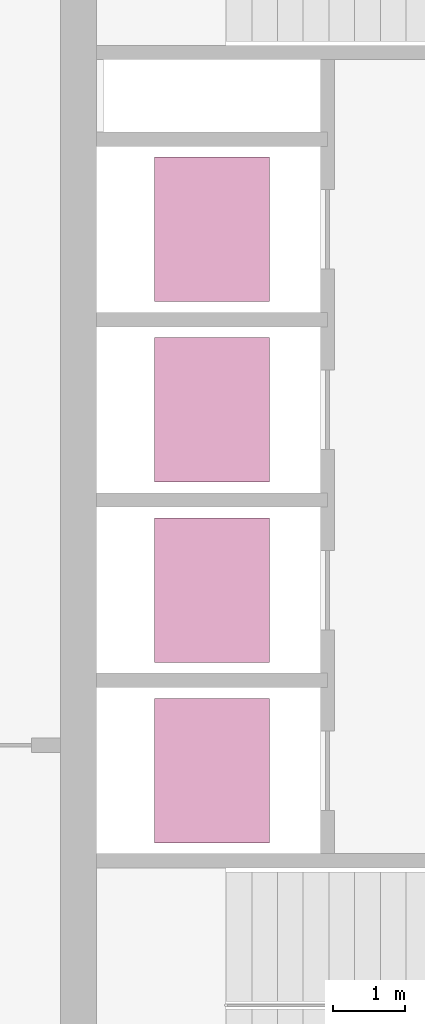
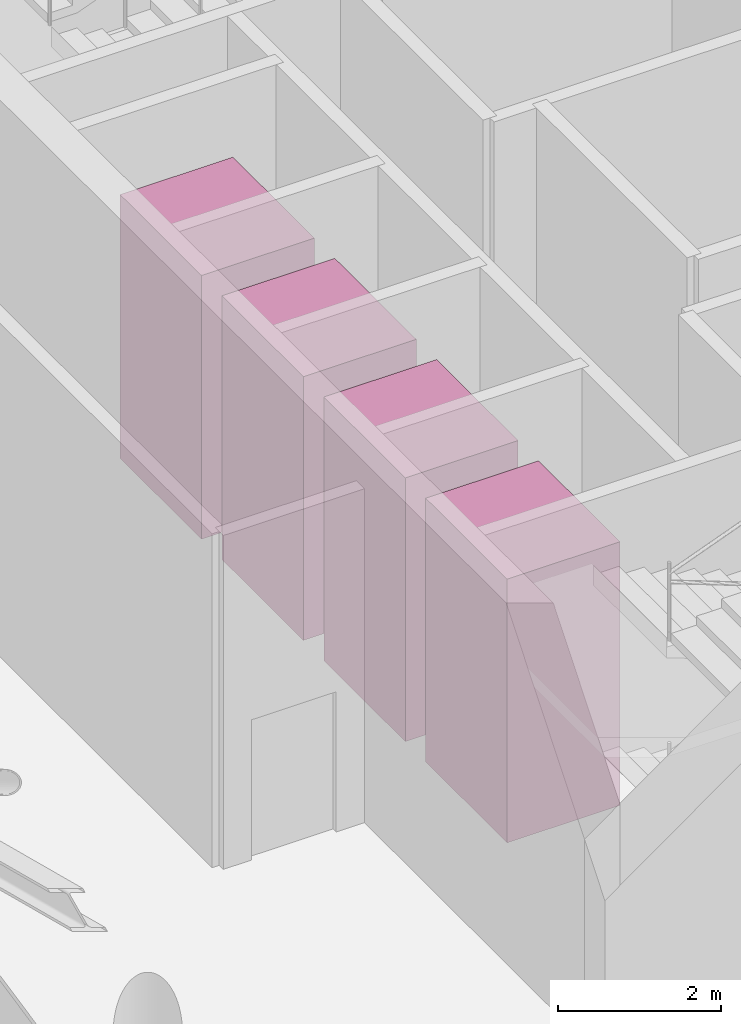
# One storey, part 18 of 18: 4 transport elements.
"""IFC4 building model written with IfcOpenShell, lengths in metres."""

import ifcopenshell
import ifcopenshell.guid

model = None  # the IFC model being written
_history = None  # IfcOwnerHistory: only IFC2X3 demands one
_inside = {}  # id of a spatial element -> (the spatial element, [elements in it])
_under = {}  # id of a project, library or spatial element -> (it, [spatial elements below it])
_declared = {}  # id of a project -> (the project, [libraries it declares])
_typed = {}  # id of a type object -> (the type object, [elements of that type])
_made_of = {}  # id of a material, layer set ... -> (it, [elements and type objects made of it])


def new_model(schema):
    """Start an empty IFC model of exactly this schema.

    Asked for "IFC4X3", IfcOpenShell would pick the latest addendum, in which some entities
    have other attributes; the version numbers below select the first issue.
    IFC2X3 requires an IfcOwnerHistory on every rooted entity: one is made here for all.
    """
    global model, _history
    if schema == "IFC4X3":
        model = ifcopenshell.file(schema_version=(4, 3, 0, 0))
    else:
        model = ifcopenshell.file(schema=schema)
    _inside.clear()
    _under.clear()
    _declared.clear()
    _typed.clear()
    _made_of.clear()
    _history = None
    if model.schema == "IFC2X3":
        org = make("IfcOrganization", Name="unknown")
        user = make(
            "IfcPersonAndOrganization",
            ThePerson=make("IfcPerson", FamilyName="unknown"),
            TheOrganization=org,
        )
        app = make(
            "IfcApplication",
            ApplicationDeveloper=org,
            Version="unknown",
            ApplicationFullName="unknown",
            ApplicationIdentifier="unknown",
        )
        _history = make(
            "IfcOwnerHistory",
            OwningUser=user,
            OwningApplication=app,
            ChangeAction="ADDED",
            CreationDate=0,
        )
    return model


def make(cls, **values):
    """One entity of the class cls with the attributes given. An attribute that is None is left unset."""
    return model.create_entity(
        cls, **{name: value for name, value in values.items() if value is not None}
    )


def rooted(cls, **values):
    """An entity with a GlobalId (a new one), such as an element, a storey or a relation."""
    return make(cls, GlobalId=ifcopenshell.guid.new(), OwnerHistory=_history, **values)


def si_unit(unit_type, name, prefix=None):
    """IfcSIUnit, for example si_unit("LENGTHUNIT", "METRE", prefix="MILLI")."""
    return make("IfcSIUnit", UnitType=unit_type, Prefix=prefix, Name=name)


def assignment(units):
    """IfcUnitAssignment: the units of a project."""
    return None if units is None else make("IfcUnitAssignment", Units=units)


def point(xyz):
    """IfcCartesianPoint."""
    return None if xyz is None else make("IfcCartesianPoint", Coordinates=xyz)


def direction(xyz):
    """IfcDirection."""
    return None if xyz is None else make("IfcDirection", DirectionRatios=xyz)


def frame(location, z_axis=None, x_axis=None):
    """IfcAxis2Placement3D, a coordinate frame: its origin and axes. An axis left out is left unset."""
    return make(
        "IfcAxis2Placement3D",
        Location=point(location),
        Axis=direction(z_axis),
        RefDirection=direction(x_axis),
    )


def frame_2d(location, x_axis=None):
    """IfcAxis2Placement2D, a coordinate frame in the plane: its origin and x axis."""
    return make(
        "IfcAxis2Placement2D", Location=point(location), RefDirection=direction(x_axis)
    )


def origin():
    """The frame at (0, 0, 0) with its axes left unset."""
    return frame((0.0, 0.0, 0.0))


def origin_2d():
    """The frame at (0, 0) in the plane with its x axis left unset."""
    return frame_2d((0.0, 0.0))


def place(relative_to, where):
    """IfcLocalPlacement: puts the frame where relative to a parent placement (None: the world)."""
    return make(
        "IfcLocalPlacement", PlacementRelTo=relative_to, RelativePlacement=where
    )


def context(
    kind, dimensions, precision=None, world=None, true_north=None, identifier=None
):
    """IfcGeometricRepresentationContext, for example the 3D "Model" context."""
    return make(
        "IfcGeometricRepresentationContext",
        ContextIdentifier=identifier,
        ContextType=kind,
        CoordinateSpaceDimension=dimensions,
        Precision=precision,
        WorldCoordinateSystem=world,
        TrueNorth=true_north,
    )


def subcontext(parent, identifier, kind, view, scale=None):
    """IfcGeometricRepresentationSubContext, for example "Body" below "Model"."""
    return make(
        "IfcGeometricRepresentationSubContext",
        ContextIdentifier=identifier,
        ContextType=kind,
        ParentContext=parent,
        TargetScale=scale,
        TargetView=view,
    )


def project(units=None, contexts=None):
    """IfcProject with its units and contexts."""
    return rooted(
        "IfcProject",
        Name="project",
        RepresentationContexts=contexts,
        UnitsInContext=assignment(units),
    )


def spatial(cls, under=None, at=None, **own):
    """A site, building, storey or space (cls), placed at a placement, below another one or the project."""
    s = rooted(cls, ObjectPlacement=at, **own)
    if under is not None:
        _under.setdefault(under.id(), (under, []))[1].append(s)
    return s


def profile(cls, at=None, kind="AREA", **sizes):
    """A parametric profile (cls). Its sizes go by their IFC names, for example OverallWidth=200.0."""
    return make(cls, ProfileType=kind, Position=at, **sizes)


def rectangle(**sizes):
    """IfcRectangleProfileDef."""
    return profile("IfcRectangleProfileDef", **sizes)


def extrude(swept, where, along, depth):
    """IfcExtrudedAreaSolid: the profile swept, set in the frame where, extruded along a direction by depth."""
    return make(
        "IfcExtrudedAreaSolid",
        SweptArea=swept,
        Position=where,
        ExtrudedDirection=direction(along),
        Depth=depth,
    )


def shape(context_of_items, identifier, shape_type, items):
    """IfcShapeRepresentation: the items that make up one representation, for example the "Body"."""
    return make(
        "IfcShapeRepresentation",
        ContextOfItems=context_of_items,
        RepresentationIdentifier=identifier,
        RepresentationType=shape_type,
        Items=items,
    )


def material(Name=None, Category=None):
    """IfcMaterial."""
    return make("IfcMaterial", Name=Name, Category=Category)


def made_of(thing, what):
    """Note that an element or type object is made of a material, layer set ...; save() writes the relation."""
    if what is not None:
        _made_of.setdefault(what.id(), (what, []))[1].append(thing)
    return thing


def type_object(cls, material=None, **own):
    """A type object (cls), such as IfcWallType, which elements share."""
    return made_of(rooted(cls, **own), material)


def element(
    cls,
    number,
    at=None,
    inside=None,
    cuts=None,
    type_object=None,
    material=None,
    context=None,
    identifier="Body",
    shape_type=None,
    held_by="IfcProductDefinitionShape",
    body=None,
    shapes=None,
    **own,
):
    """One element of the class cls, such as IfcWall. Its Tag is "e" and its number.

    at: its placement. inside: the storey or other place that contains it. cuts: it is an
    opening in that element (IfcRelVoidsElement). A single representation is given by context,
    identifier, shape_type and body (its items); several are given by shapes. held_by: the class
    of the entity that holds the representations. save() writes the other relations.
    """
    e = rooted(cls, Tag="e%d" % number, ObjectPlacement=at, **own)
    if body is not None:
        shapes = [shape(context, identifier, shape_type, body)]
    if shapes is not None:
        e.Representation = make(held_by, Representations=shapes)
    if inside is not None:
        _inside.setdefault(inside.id(), (inside, []))[1].append(e)
    if cuts is not None:
        rooted(
            "IfcRelVoidsElement", RelatingBuildingElement=cuts, RelatedOpeningElement=e
        )
    if type_object is not None:
        _typed.setdefault(type_object.id(), (type_object, []))[1].append(e)
    return made_of(e, material)


def aggregate(whole, parts):
    """IfcRelAggregates: a whole, such as a stair, and the parts it consists of."""
    return rooted("IfcRelAggregates", RelatingObject=whole, RelatedObjects=parts)


def save(model, path):
    """Write the relations noted so far, then the file.

    IfcRelAggregates (storeys below a building ...), IfcRelContainedInSpatialStructure (elements
    in a storey), IfcRelDefinesByType, IfcRelAssociatesMaterial and IfcRelDeclares: one each for
    every whole, place, type object, material and project.
    """
    for whole, parts in _under.values():
        aggregate(whole, parts)
    for where, things in _inside.values():
        rooted(
            "IfcRelContainedInSpatialStructure",
            RelatedElements=things,
            RelatingStructure=where,
        )
    for kind, things in _typed.values():
        rooted("IfcRelDefinesByType", RelatedObjects=things, RelatingType=kind)
    for what, things in _made_of.values():
        rooted("IfcRelAssociatesMaterial", RelatedObjects=things, RelatingMaterial=what)
    for by, libraries in _declared.values():
        rooted("IfcRelDeclares", RelatingContext=by, RelatedDefinitions=libraries)
    model.write(path)


model = new_model("IFC4")

# Units and contexts
model_context = context("Model", 3, precision=1e-05, world=origin(), true_north=direction((0.0, 1.0)))
body_context = subcontext(model_context, "Body", "Model", "MODEL_VIEW")
ifc_project = project(units=[si_unit("LENGTHUNIT", "METRE"), si_unit("AREAUNIT", "SQUARE_METRE"), si_unit("VOLUMEUNIT", "CUBIC_METRE"), si_unit("PLANEANGLEUNIT", "RADIAN"), si_unit("MASSUNIT", "GRAM", prefix="KILO")], contexts=[model_context])

# Site, building, storey
site_placement = place(None, origin())
site = spatial("IfcSite", under=ifc_project, at=site_placement, CompositionType="ELEMENT")
building_placement = place(site_placement, origin())
building = spatial("IfcBuilding", under=site, at=building_placement, Name="Qaws Garden Tower", CompositionType="ELEMENT")
storey_placement = place(building_placement, frame((0.0, 0.0, 352.800048828125)))
storey = spatial("IfcBuildingStorey", under=building, at=storey_placement, Name="L86", CompositionType="ELEMENT", Elevation=352.800048828125)

# Transport elements
ifc_material = material(Name="Stainless steel 316", Category="steel")
transport_element_type = type_object("IfcTransportElementType", Name="Passenger lift car 2000x1600 1800 kg", PredefinedType="ELEVATOR", material=ifc_material)
for number, where, z_axis, x_axis, name in (
    (1, (10.10009765625, 13.64990234375, 0.0), (0.0, 0.0, 1.0), (1.0, 0.0, 0.0), "HR1"),
    (2, (10.10009765625, 16.14990234375, 0.0), (0.0, 0.0, 1.0), (1.0, 0.0, 0.0), "HR2"),
    (3, (10.10009765625, 18.64990234375, 0.0), (0.0, 0.0, 1.0), (1.0, 0.0, 0.0), "HR3"),
    (4, (10.10009765625, 21.14990234375, 0.0), (0.0, 0.0, 1.0), (1.0, 0.0, 0.0), "HR4"),
):
    element("IfcTransportElement", number, at=place(storey_placement, frame(where, z_axis=z_axis, x_axis=x_axis)), inside=storey, type_object=transport_element_type, Name=name, PredefinedType="ELEVATOR", context=body_context, shape_type="SweptSolid", body=[
        extrude(rectangle(XDim=1.60009765625, YDim=2.0, at=origin_2d()), origin(), (0.0, 0.0, 1.0), 3.949951171875),
    ])

save(model, "model.ifc")
